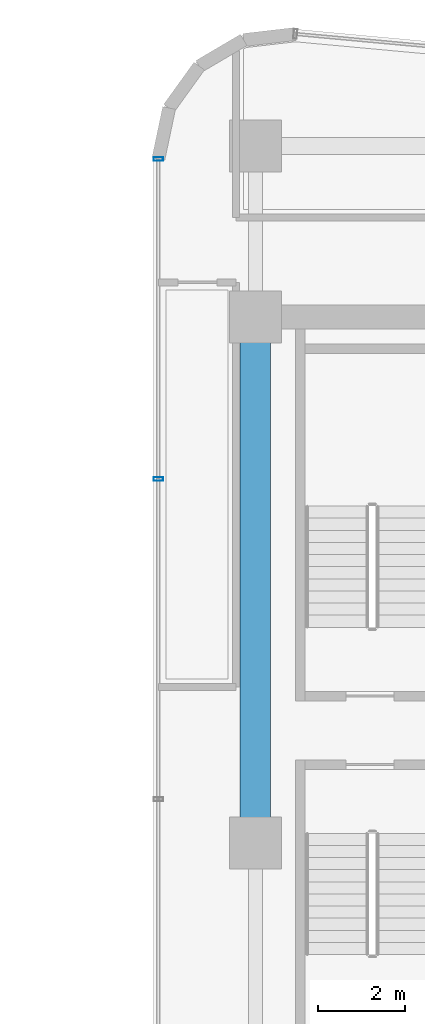
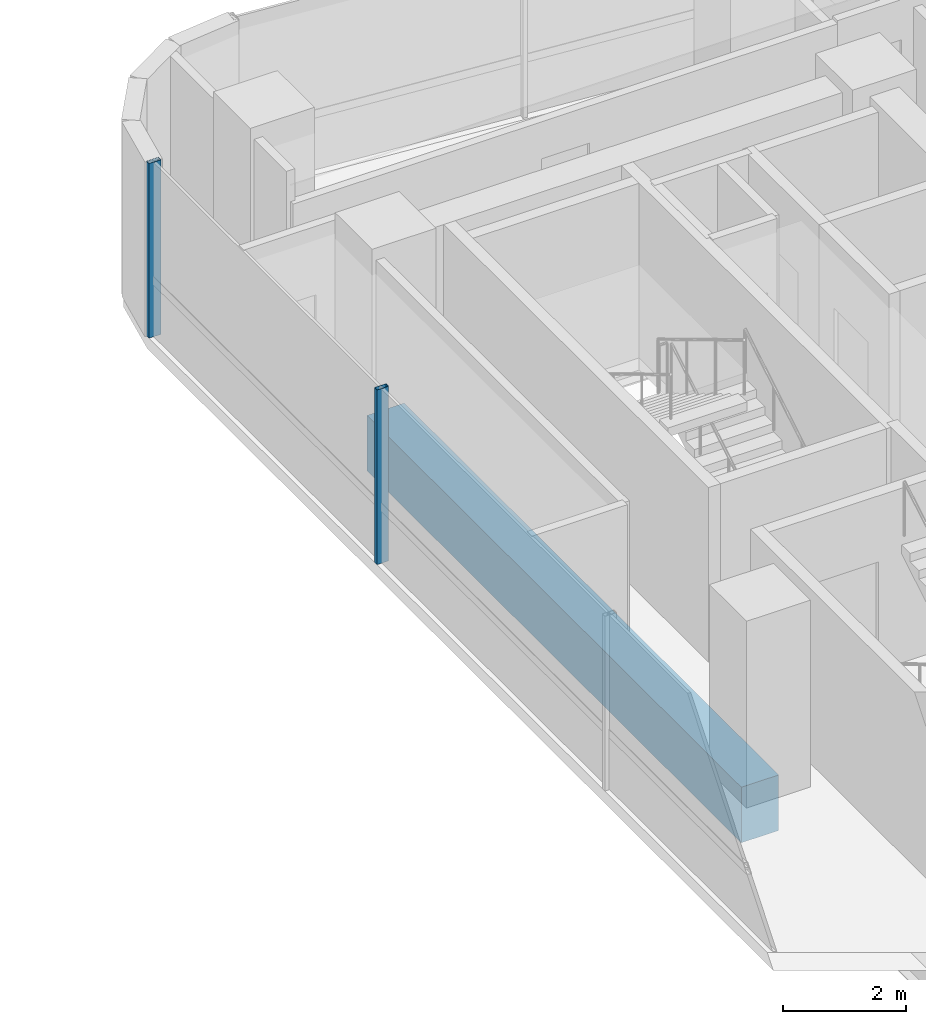
# One storey, part 16 of 34: 2 members, 1 beam, 1 element without a shape of its own.
"""IFC4 building model written with IfcOpenShell, lengths in metres."""

from ifc_helpers import new_model, si_unit, direction, frame, origin, origin_2d, place, context, subcontext, project, spatial, rectangle, hollow_rectangle, extrude, source, transform, mapped, material, material_profile, profile_set, type_object, element, aggregate, save


model = new_model("IFC4")

# Units and contexts
model_context = context("Model", 3, precision=1e-05, world=origin(), true_north=direction((0.0, 1.0)))
body_context = subcontext(model_context, "Body", "Model", "MODEL_VIEW")
ifc_project = project(units=[si_unit("LENGTHUNIT", "METRE"), si_unit("AREAUNIT", "SQUARE_METRE"), si_unit("VOLUMEUNIT", "CUBIC_METRE"), si_unit("PLANEANGLEUNIT", "RADIAN"), si_unit("MASSUNIT", "GRAM", prefix="KILO")], contexts=[model_context])

# Site, building, storey
site_placement = place(None, origin())
site = spatial("IfcSite", under=ifc_project, at=site_placement, CompositionType="ELEMENT")
building_placement = place(site_placement, origin())
building = spatial("IfcBuilding", under=site, at=building_placement, Name="Valdorenza Pilgrim Sanctuary Tower", CompositionType="ELEMENT")
storey_placement = place(building_placement, frame((0.0, 0.0, 161.199951171875)))
storey = spatial("IfcBuildingStorey", under=building, at=storey_placement, Name="L41", CompositionType="ELEMENT", Elevation=161.199951171875)

# Beam
ifc_material_1 = material(Name="Concrete C50/60", Category="concrete")
ifc_material_profile_1 = material_profile(ifc_material_1, rectangle(XDim=0.699951171875, YDim=1.10009765625, at=origin_2d()), Name="RC 1100x700")
ifc_profile_set_1 = profile_set([ifc_material_profile_1], Name="Concrete C50/60")
beam_type = type_object("IfcBeamType", Name="STR-BM-LNT-1100", PredefinedType="LINTEL", material=ifc_profile_set_1)
shared_shape_1 = source(origin(), body_context, "Body", "SweptSolid", [
    extrude(rectangle(XDim=0.699951171875, YDim=1.10009765625, at=origin_2d()), origin(), (0.0, 0.0, 1.0), 12.150146484375),
])
beam_placement = place(storey_placement, frame((15.85009765625, -2.60009765625, -0.58984375), z_axis=(0.0, 1.0, 0.0), x_axis=(-1.0, 0.0, 0.0)))
element("IfcBeam", 1, at=beam_placement, inside=storey, type_object=beam_type, Name="L41 Core B West Coupling Lintel Girder", PredefinedType="LINTEL", context=body_context, shape_type="MappedRepresentation", body=[
    mapped(shared_shape_1, transform((0.0, 0.0, 0.0), x_axis=(1.0, 0.0, 0.0), y_axis=(0.0, 1.0, 0.0), z_axis=(0.0, 0.0, 1.0), scale=1.0)),
])

# Curtain wall, members
ifc_material_2 = material(Name="Curtain-wall IGU glazing", Category="glass")
curtain_wall_type = type_object("IfcCurtainWallType", Name="CW-SYS-03", PredefinedType="NOTDEFINED", material=ifc_material_2)
curtain_wall_placement = place(storey_placement, origin())
curtain_wall = element("IfcCurtainWall", 2, at=curtain_wall_placement, inside=storey, type_object=curtain_wall_type, Name="L41 Curtain Wall CW-L41-2-1", PredefinedType="NOTDEFINED")
ifc_material_3 = material(Name="Anodised aluminium AW-6060", Category="aluminium")
ifc_material_profile_2 = material_profile(ifc_material_3, hollow_rectangle(XDim=0.0849609375, YDim=0.219970703125, WallThickness=0.0048828125, at=origin_2d()), Name="ALU-M 220x85x5")
ifc_profile_set_2 = profile_set([ifc_material_profile_2], Name="Anodised aluminium AW-6060")
member_type = type_object("IfcMemberType", Name="CW-MUL-03", PredefinedType="MULLION", material=ifc_profile_set_2)
shared_shape_2 = source(origin(), body_context, "Body", "SweptSolid", [
    extrude(hollow_rectangle(XDim=0.0849609375, YDim=0.219970703125, WallThickness=0.0048828125, at=origin_2d()), origin(), (0.0, 0.0, 1.0), 3.4599609375),
])
member_1_placement = place(storey_placement, frame((13.610107421875, 5.803466796875, 0.0), z_axis=(0.0, 0.0, 1.0), x_axis=(0.0, 1.0, 0.0)))
member_1 = element("IfcMember", 3, at=member_1_placement, type_object=member_type, Name="CW-L41-2-1 Mullion 3", PredefinedType="MULLION", context=body_context, shape_type="MappedRepresentation", body=[
    mapped(shared_shape_2, transform((0.0, 0.0, 0.0), x_axis=(1.0, 0.0, 0.0), y_axis=(0.0, 1.0, 0.0), z_axis=(0.0, 0.0, 1.0), scale=1.0)),
])
member_2_placement = place(storey_placement, frame((13.610107421875, 13.19970703125, 0.0), z_axis=(0.0, 0.0, 1.0), x_axis=(0.0, 1.0, 0.0)))
member_2 = element("IfcMember", 4, at=member_2_placement, type_object=member_type, Name="CW-L41-2-1 Mullion 4", PredefinedType="MULLION", context=body_context, shape_type="MappedRepresentation", body=[
    mapped(shared_shape_2, transform((0.0, 0.0, 0.0), x_axis=(1.0, 0.0, 0.0), y_axis=(0.0, 1.0, 0.0), z_axis=(0.0, 0.0, 1.0), scale=1.0)),
])
aggregate(curtain_wall, [member_1, member_2])

save(model, "model.ifc")
